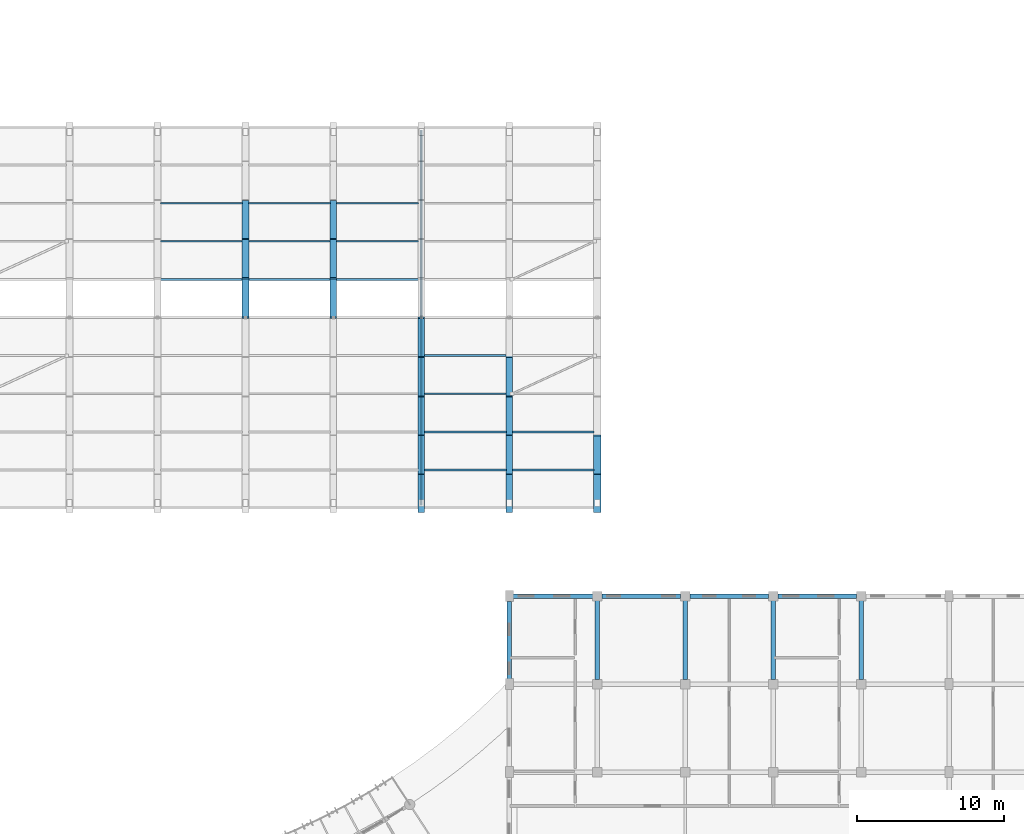
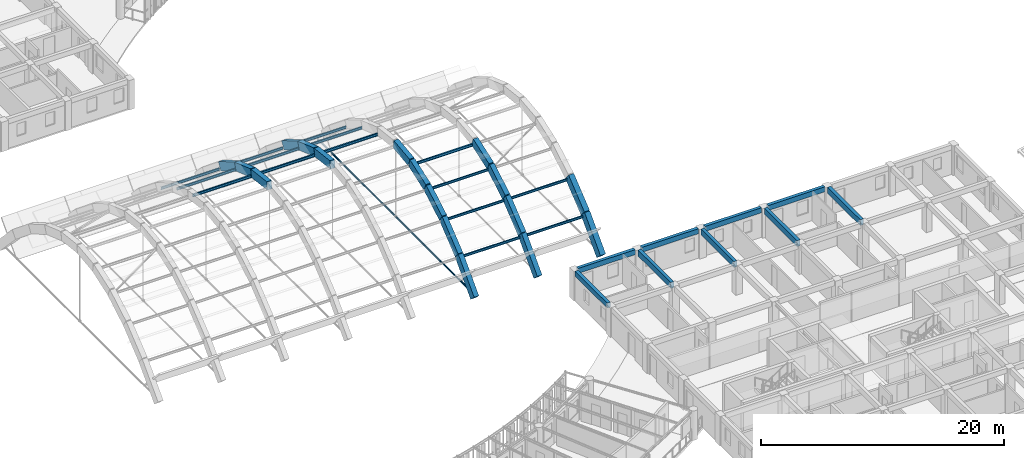
# One storey, part 31 of 123: 41 beams, 1 member.
"""IFC4 building model written with IfcOpenShell, lengths in metres."""

from ifc_helpers import new_model, si_unit, direction, frame, origin, origin_2d, place, context, subcontext, project, spatial, rectangle, hollow_circle, i_section, extrude, material, material_profile, profile_set, type_object, element, save


model = new_model("IFC4")

# Units and contexts
model_context = context("Model", 3, precision=1e-05, world=origin(), true_north=direction((0.0, 1.0)))
body_context = subcontext(model_context, "Body", "Model", "MODEL_VIEW")
ifc_project = project(units=[si_unit("LENGTHUNIT", "METRE"), si_unit("AREAUNIT", "SQUARE_METRE"), si_unit("VOLUMEUNIT", "CUBIC_METRE"), si_unit("PLANEANGLEUNIT", "RADIAN"), si_unit("MASSUNIT", "GRAM", prefix="KILO"), si_unit("POWERUNIT", "WATT"), si_unit("THERMODYNAMICTEMPERATUREUNIT", "KELVIN")], contexts=[model_context])

# Site, building, storey
site_placement = place(None, origin())
site = spatial("IfcSite", under=ifc_project, at=site_placement, CompositionType="ELEMENT")
building_placement = place(site_placement, origin())
building = spatial("IfcBuilding", under=site, at=building_placement, Name="Ruvembo Vaulted Housing Court", CompositionType="ELEMENT")
storey_placement = place(building_placement, frame((0.0, 0.0, 7.699951171875)))
storey = spatial("IfcBuildingStorey", under=building, at=storey_placement, Name="L02", CompositionType="ELEMENT", Elevation=7.699951171875)

# Beams
ifc_material_1 = material(Name="Concrete C35/45", Category="concrete")
ifc_material_profile_1 = material_profile(ifc_material_1, rectangle(XDim=0.449951171875, YDim=0.800048828125, at=origin_2d()), Name="RC 450x800")
ifc_profile_set_1 = profile_set([ifc_material_profile_1], Name="Concrete C35/45")
beam_type_1 = type_object("IfcBeamType", Name="AR-RC-450x800", PredefinedType="BEAM", material=ifc_profile_set_1)
beam_1_placement = place(storey_placement, frame((84.0, 55.0, 6.10009765625), z_axis=(0.0, 0.993236276414, -0.116110719637), x_axis=(-1.0, 0.0, 0.0)))
element("IfcBeam", 1, at=beam_1_placement, inside=storey, type_object=beam_type_1, Name="Community Hall Parabolic Arch Rib AR-04 Seg 6", PredefinedType="BEAM", context=body_context, shape_type="SweptSolid", body=[
    extrude(rectangle(XDim=0.449951171875, YDim=0.800048828125, at=origin_2d()), origin(), (0.0, 0.0, 1.0), 2.617919921875),
])
beam_2_placement = place(storey_placement, frame((84.0, 57.60009765625, 5.796142578125), z_axis=(0.0, 0.943613580104, -0.331048956265), x_axis=(-1.0, 0.0, 0.0)))
element("IfcBeam", 2, at=beam_2_placement, inside=storey, type_object=beam_type_1, Name="Community Hall Parabolic Arch Rib AR-04 Seg 7", PredefinedType="BEAM", context=body_context, shape_type="SweptSolid", body=[
    extrude(rectangle(XDim=0.449951171875, YDim=0.800048828125, at=origin_2d()), origin(), (0.0, 0.0, 1.0), 2.755126953125),
])
beam_3_placement = place(storey_placement, frame((84.0, 60.199951171875, 4.884033203125), z_axis=(0.0, 0.863302227703, -0.504687292928), x_axis=(-1.0, 0.0, 0.0)))
element("IfcBeam", 3, at=beam_3_placement, inside=storey, type_object=beam_type_1, Name="Community Hall Parabolic Arch Rib AR-04 Seg 8", PredefinedType="BEAM", context=body_context, shape_type="SweptSolid", body=[
    extrude(rectangle(XDim=0.449951171875, YDim=0.800048828125, at=origin_2d()), origin(), (0.0, 0.0, 1.0), 3.01171875),
])
beam_4_placement = place(storey_placement, frame((90.0, 55.0, 6.10009765625), z_axis=(0.0, 0.993236276414, -0.116110719637), x_axis=(-1.0, 0.0, 0.0)))
element("IfcBeam", 4, at=beam_4_placement, inside=storey, type_object=beam_type_1, Name="Community Hall Parabolic Arch Rib AR-05 Seg 6", PredefinedType="BEAM", context=body_context, shape_type="SweptSolid", body=[
    extrude(rectangle(XDim=0.449951171875, YDim=0.800048828125, at=origin_2d()), origin(), (0.0, 0.0, 1.0), 2.617919921875),
])
beam_5_placement = place(storey_placement, frame((90.0, 57.60009765625, 5.796142578125), z_axis=(0.0, 0.943613580104, -0.331048956265), x_axis=(-1.0, 0.0, 0.0)))
element("IfcBeam", 5, at=beam_5_placement, inside=storey, type_object=beam_type_1, Name="Community Hall Parabolic Arch Rib AR-05 Seg 7", PredefinedType="BEAM", context=body_context, shape_type="SweptSolid", body=[
    extrude(rectangle(XDim=0.449951171875, YDim=0.800048828125, at=origin_2d()), origin(), (0.0, 0.0, 1.0), 2.755126953125),
])
beam_6_placement = place(storey_placement, frame((90.0, 60.199951171875, 4.884033203125), z_axis=(0.0, 0.863302227703, -0.504687292928), x_axis=(-1.0, 0.0, 0.0)))
element("IfcBeam", 6, at=beam_6_placement, inside=storey, type_object=beam_type_1, Name="Community Hall Parabolic Arch Rib AR-05 Seg 8", PredefinedType="BEAM", context=body_context, shape_type="SweptSolid", body=[
    extrude(rectangle(XDim=0.449951171875, YDim=0.800048828125, at=origin_2d()), origin(), (0.0, 0.0, 1.0), 3.01171875),
])
beam_7_placement = place(storey_placement, frame((96.0, 42.0, -1.5), z_axis=(0.0, 0.688863348141, 0.724891224659), x_axis=(-1.0, 0.0, 0.0)))
element("IfcBeam", 7, at=beam_7_placement, inside=storey, type_object=beam_type_1, Name="Community Hall Parabolic Arch Rib AR-06 Seg 1", PredefinedType="BEAM", context=body_context, shape_type="SweptSolid", body=[
    extrude(rectangle(XDim=0.449951171875, YDim=0.800048828125, at=origin_2d()), origin(), (0.0, 0.0, 1.0), 3.7744140625),
])
beam_8_placement = place(storey_placement, frame((96.0, 44.60009765625, 1.236083984375), z_axis=(0.0, 0.773843967543, 0.633376281445), x_axis=(-1.0, 0.0, 0.0)))
element("IfcBeam", 8, at=beam_8_placement, inside=storey, type_object=beam_type_1, Name="Community Hall Parabolic Arch Rib AR-06 Seg 2", PredefinedType="BEAM", context=body_context, shape_type="SweptSolid", body=[
    extrude(rectangle(XDim=0.449951171875, YDim=0.800048828125, at=origin_2d()), origin(), (0.0, 0.0, 1.0), 3.359619140625),
])
beam_9_placement = place(storey_placement, frame((96.0, 47.199951171875, 3.364013671875), z_axis=(0.0, 0.863302227703, 0.504687292928), x_axis=(-1.0, 0.0, 0.0)))
element("IfcBeam", 9, at=beam_9_placement, inside=storey, type_object=beam_type_1, Name="Community Hall Parabolic Arch Rib AR-06 Seg 3", PredefinedType="BEAM", context=body_context, shape_type="SweptSolid", body=[
    extrude(rectangle(XDim=0.449951171875, YDim=0.800048828125, at=origin_2d()), origin(), (0.0, 0.0, 1.0), 3.01171875),
])
beam_10_placement = place(storey_placement, frame((96.0, 49.800048828125, 4.884033203125), z_axis=(0.0, 0.943613580104, 0.331048956265), x_axis=(-1.0, 0.0, 0.0)))
element("IfcBeam", 10, at=beam_10_placement, inside=storey, type_object=beam_type_1, Name="Community Hall Parabolic Arch Rib AR-06 Seg 4", PredefinedType="BEAM", context=body_context, shape_type="SweptSolid", body=[
    extrude(rectangle(XDim=0.449951171875, YDim=0.800048828125, at=origin_2d()), origin(), (0.0, 0.0, 1.0), 2.755126953125),
])
beam_11_placement = place(storey_placement, frame((96.0, 52.39990234375, 5.796142578125), z_axis=(0.0, 0.993236276414, 0.116110719637), x_axis=(-1.0, 0.0, 0.0)))
element("IfcBeam", 11, at=beam_11_placement, inside=storey, type_object=beam_type_1, Name="Community Hall Parabolic Arch Rib AR-06 Seg 5", PredefinedType="BEAM", context=body_context, shape_type="SweptSolid", body=[
    extrude(rectangle(XDim=0.449951171875, YDim=0.800048828125, at=origin_2d()), origin(), (0.0, 0.0, 1.0), 2.617919921875),
])
beam_12_placement = place(storey_placement, frame((102.0, 42.0, -1.5), z_axis=(0.0, 0.688863348141, 0.724891224659), x_axis=(-1.0, 0.0, 0.0)))
element("IfcBeam", 12, at=beam_12_placement, inside=storey, type_object=beam_type_1, Name="Community Hall Parabolic Arch Rib AR-07 Seg 1", PredefinedType="BEAM", context=body_context, shape_type="SweptSolid", body=[
    extrude(rectangle(XDim=0.449951171875, YDim=0.800048828125, at=origin_2d()), origin(), (0.0, 0.0, 1.0), 3.7744140625),
])
beam_13_placement = place(storey_placement, frame((102.0, 44.60009765625, 1.236083984375), z_axis=(0.0, 0.773843967543, 0.633376281445), x_axis=(-1.0, 0.0, 0.0)))
element("IfcBeam", 13, at=beam_13_placement, inside=storey, type_object=beam_type_1, Name="Community Hall Parabolic Arch Rib AR-07 Seg 2", PredefinedType="BEAM", context=body_context, shape_type="SweptSolid", body=[
    extrude(rectangle(XDim=0.449951171875, YDim=0.800048828125, at=origin_2d()), origin(), (0.0, 0.0, 1.0), 3.359619140625),
])
beam_14_placement = place(storey_placement, frame((102.0, 47.199951171875, 3.364013671875), z_axis=(0.0, 0.863302227703, 0.504687292928), x_axis=(-1.0, 0.0, 0.0)))
element("IfcBeam", 14, at=beam_14_placement, inside=storey, type_object=beam_type_1, Name="Community Hall Parabolic Arch Rib AR-07 Seg 3", PredefinedType="BEAM", context=body_context, shape_type="SweptSolid", body=[
    extrude(rectangle(XDim=0.449951171875, YDim=0.800048828125, at=origin_2d()), origin(), (0.0, 0.0, 1.0), 3.01171875),
])
beam_15_placement = place(storey_placement, frame((102.0, 49.800048828125, 4.884033203125), z_axis=(0.0, 0.943613580104, 0.331048956265), x_axis=(-1.0, 0.0, 0.0)))
element("IfcBeam", 15, at=beam_15_placement, inside=storey, type_object=beam_type_1, Name="Community Hall Parabolic Arch Rib AR-07 Seg 4", PredefinedType="BEAM", context=body_context, shape_type="SweptSolid", body=[
    extrude(rectangle(XDim=0.449951171875, YDim=0.800048828125, at=origin_2d()), origin(), (0.0, 0.0, 1.0), 2.755126953125),
])
ifc_material_profile_2 = material_profile(ifc_material_1, rectangle(XDim=0.5, YDim=0.85009765625, at=origin_2d()), Name="RC 500x850")
ifc_profile_set_2 = profile_set([ifc_material_profile_2], Name="Concrete C35/45")
beam_type_2 = type_object("IfcBeamType", Name="AR-RC-500x850", PredefinedType="BEAM", material=ifc_profile_set_2)
beam_16_placement = place(storey_placement, frame((108.0, 42.0, -1.5), z_axis=(0.0, 0.688863348141, 0.724891224659), x_axis=(-1.0, 0.0, 0.0)))
element("IfcBeam", 16, at=beam_16_placement, inside=storey, type_object=beam_type_2, Name="Community Hall Parabolic Arch Rib AR-08 Seg 1", PredefinedType="BEAM", context=body_context, shape_type="SweptSolid", body=[
    extrude(rectangle(XDim=0.5, YDim=0.85009765625, at=origin_2d()), origin(), (0.0, 0.0, 1.0), 3.7744140625),
])
beam_17_placement = place(storey_placement, frame((108.0, 44.60009765625, 1.236083984375), z_axis=(0.0, 0.773843967543, 0.633376281445), x_axis=(-1.0, 0.0, 0.0)))
element("IfcBeam", 17, at=beam_17_placement, inside=storey, type_object=beam_type_2, Name="Community Hall Parabolic Arch Rib AR-08 Seg 2", PredefinedType="BEAM", context=body_context, shape_type="SweptSolid", body=[
    extrude(rectangle(XDim=0.5, YDim=0.85009765625, at=origin_2d()), origin(), (0.0, 0.0, 1.0), 3.359619140625),
])
ifc_material_profile_3 = material_profile(ifc_material_1, rectangle(XDim=0.300048828125, YDim=0.60009765625, at=origin_2d()), Name="RC 300x600")
ifc_profile_set_3 = profile_set([ifc_material_profile_3], Name="Concrete C35/45")
beam_type_3 = type_object("IfcBeamType", Name="BM-RC-300x600", PredefinedType="BEAM", material=ifc_profile_set_3)
for number, where, z_axis, x_axis, name in (
    (18, (108.0, 30.31005859375, 2.655029296875), (0.0, 1.0, 0.0), (-1.0, 0.0, 0.0), "L02 Grid Beam Y #1648"),
    (19, (114.0, 30.31005859375, 2.655029296875), (0.0, 1.0, 0.0), (-1.0, 0.0, 0.0), "L02 Grid Beam Y #1653"),
    (20, (120.0, 30.31005859375, 2.655029296875), (0.0, 1.0, 0.0), (-1.0, 0.0, 0.0), "L02 Grid Beam Y #1657"),
    (21, (126.0, 30.31005859375, 2.655029296875), (0.0, 1.0, 0.0), (-1.0, 0.0, 0.0), "L02 Grid Beam Y #1661"),
):
    element("IfcBeam", number, at=place(storey_placement, frame(where, z_axis=z_axis, x_axis=x_axis)), inside=storey, type_object=beam_type_3, Name=name, PredefinedType="BEAM", context=body_context, shape_type="SweptSolid", body=[
        extrude(rectangle(XDim=0.300048828125, YDim=0.60009765625, at=origin_2d()), origin(), (0.0, 0.0, 1.0), 5.3798828125),
    ])
ifc_material_2 = material(Name="Steel S355J2", Category="steel")
ifc_material_profile_4 = material_profile(ifc_material_2, i_section(OverallWidth=0.1201171875, OverallDepth=0.239990234375, WebThickness=0.006103515625, FlangeThickness=0.009765625, FilletRadius=0.014892578125, at=origin_2d()), Name="IPE 240")
ifc_profile_set_4 = profile_set([ifc_material_profile_4], Name="Steel S355J2")
beam_type_4 = type_object("IfcBeamType", Name="BM-ST-IPE240", PredefinedType="BEAM", material=ifc_profile_set_4)
for number, where, z_axis, x_axis, name in (
    (22, (78.2099609375, 60.199951171875, 4.60400390625), (1.0, 0.0, 0.0), (0.0, 1.0, 0.0), "Vault Bay 3 Steel Purlin K7"),
    (23, (78.2099609375, 62.800048828125, 3.083984375), (1.0, 0.0, 0.0), (0.0, 1.0, 0.0), "Vault Bay 3 Steel Purlin K8"),
    (24, (84.2099609375, 60.199951171875, 4.60400390625), (1.0, 0.0, 0.0), (0.0, 1.0, 0.0), "Vault Bay 4 Steel Purlin K7"),
    (25, (84.2099609375, 62.800048828125, 3.083984375), (1.0, 0.0, 0.0), (0.0, 1.0, 0.0), "Vault Bay 4 Steel Purlin K8"),
    (26, (90.2099609375, 60.199951171875, 4.60400390625), (1.0, 0.0, 0.0), (0.0, 1.0, 0.0), "Vault Bay 5 Steel Purlin K7"),
    (27, (90.2099609375, 62.800048828125, 3.083984375), (1.0, 0.0, 0.0), (0.0, 1.0, 0.0), "Vault Bay 5 Steel Purlin K8"),
    (28, (96.2099609375, 44.60009765625, 0.9560546875), (1.0, 0.0, 0.0), (0.0, 1.0, 0.0), "Vault Bay 6 Steel Purlin K1"),
    (29, (96.2099609375, 47.199951171875, 3.083984375), (1.0, 0.0, 0.0), (0.0, 1.0, 0.0), "Vault Bay 6 Steel Purlin K2"),
    (30, (96.2099609375, 49.800048828125, 4.60400390625), (1.0, 0.0, 0.0), (0.0, 1.0, 0.0), "Vault Bay 6 Steel Purlin K3"),
    (31, (102.2099609375, 44.60009765625, 0.9560546875), (1.0, 0.0, 0.0), (0.0, 1.0, 0.0), "Vault Bay 7 Steel Purlin K1"),
    (32, (102.2099609375, 47.199951171875, 3.083984375), (1.0, 0.0, 0.0), (0.0, 1.0, 0.0), "Vault Bay 7 Steel Purlin K2"),
):
    element("IfcBeam", number, at=place(storey_placement, frame(where, z_axis=z_axis, x_axis=x_axis)), inside=storey, type_object=beam_type_4, Name=name, PredefinedType="BEAM", context=body_context, shape_type="SweptSolid", body=[
        extrude(i_section(OverallWidth=0.1201171875, OverallDepth=0.239990234375, WebThickness=0.006103515625, FlangeThickness=0.009765625, FilletRadius=0.014892578125, at=origin_2d()), origin(), (0.0, 0.0, 1.0), 5.580078125),
    ])
ifc_material_profile_5 = material_profile(ifc_material_2, i_section(OverallWidth=0.135009765625, OverallDepth=0.27001953125, WebThickness=0.006591796875, FlangeThickness=0.01025390625, FilletRadius=0.014892578125, at=origin_2d()), Name="IPE 270")
ifc_profile_set_5 = profile_set([ifc_material_profile_5], Name="Steel S355J2")
beam_type_5 = type_object("IfcBeamType", Name="BM-ST-IPE270", PredefinedType="BEAM", material=ifc_profile_set_5)
for number, where, z_axis, x_axis, name in (
    (33, (78.2099609375, 57.60009765625, 5.51611328125), (1.0, 0.0, 0.0), (0.0, 1.0, 0.0), "Vault Bay 3 Steel Purlin K6"),
    (34, (84.2099609375, 57.60009765625, 5.51611328125), (1.0, 0.0, 0.0), (0.0, 1.0, 0.0), "Vault Bay 4 Steel Purlin K6"),
    (35, (90.2099609375, 57.60009765625, 5.51611328125), (1.0, 0.0, 0.0), (0.0, 1.0, 0.0), "Vault Bay 5 Steel Purlin K6"),
    (36, (96.2099609375, 52.39990234375, 5.51611328125), (1.0, 0.0, 0.0), (0.0, 1.0, 0.0), "Vault Bay 6 Steel Purlin K4"),
):
    element("IfcBeam", number, at=place(storey_placement, frame(where, z_axis=z_axis, x_axis=x_axis)), inside=storey, type_object=beam_type_5, Name=name, PredefinedType="BEAM", context=body_context, shape_type="SweptSolid", body=[
        extrude(i_section(OverallWidth=0.135009765625, OverallDepth=0.27001953125, WebThickness=0.006591796875, FlangeThickness=0.01025390625, FilletRadius=0.014892578125, at=origin_2d()), origin(), (0.0, 0.0, 1.0), 5.580078125),
    ])

# Member
ifc_material_profile_6 = material_profile(ifc_material_2, hollow_circle(Radius=0.084228515625, WallThickness=0.010009765625, at=origin_2d()), Name="CHS 168.3x10")
ifc_profile_set_6 = profile_set([ifc_material_profile_6], Name="Steel S355J2")
member_type = type_object("IfcMemberType", Name="MEM-TIE-CHS168", PredefinedType="USERDEFINED", material=ifc_profile_set_6)
member_placement = place(storey_placement, frame((96.0, 42.199951171875, -1.25), z_axis=(0.0, 1.0, 0.0), x_axis=(-1.0, 0.0, 0.0)))
element("IfcMember", 37, at=member_placement, inside=storey, type_object=member_type, Name="Vault Springing Steel Tension Tie VT-06", ObjectType="TIE_ROD", PredefinedType="USERDEFINED", context=body_context, shape_type="SweptSolid", body=[
    extrude(hollow_circle(Radius=0.084228515625, WallThickness=0.010009765625, at=origin_2d()), origin(), (0.0, 0.0, 1.0), 25.60009765625),
])

# Beams
ifc_material_profile_7 = material_profile(ifc_material_1, rectangle(XDim=0.300048828125, YDim=0.5, at=origin_2d()), Name="RC 300x500")
ifc_profile_set_7 = profile_set([ifc_material_profile_7], Name="Concrete C35/45")
beam_type_6 = type_object("IfcBeamType", Name="SP-RC-300x500", PredefinedType="SPANDREL", material=ifc_profile_set_7)
beam_18_placement = place(storey_placement, frame((102.260009765625, 36.0, 2.705078125), z_axis=(1.0, 0.0, 0.0), x_axis=(0.0, 1.0, 0.0)))
element("IfcBeam", 38, at=beam_18_placement, inside=storey, type_object=beam_type_6, Name="L02 Grid Beam X #1483", PredefinedType="SPANDREL", context=body_context, shape_type="SweptSolid", body=[
    extrude(rectangle(XDim=0.300048828125, YDim=0.5, at=origin_2d()), origin(), (0.0, 0.0, 1.0), 5.429931640625),
])
for number, where, z_axis, x_axis, name in (
    (39, (108.31005859375, 36.0, 2.705078125), (1.0, 0.0, 0.0), (0.0, 1.0, 0.0), "L02 Grid Beam X #1484"),
    (40, (114.31005859375, 36.0, 2.705078125), (1.0, 0.0, 0.0), (0.0, 1.0, 0.0), "L02 Grid Beam X #1485"),
    (41, (120.31005859375, 36.0, 2.705078125), (1.0, 0.0, 0.0), (0.0, 1.0, 0.0), "L02 Grid Beam X #1486"),
):
    element("IfcBeam", number, at=place(storey_placement, frame(where, z_axis=z_axis, x_axis=x_axis)), inside=storey, type_object=beam_type_6, Name=name, PredefinedType="SPANDREL", context=body_context, shape_type="SweptSolid", body=[
        extrude(rectangle(XDim=0.300048828125, YDim=0.5, at=origin_2d()), origin(), (0.0, 0.0, 1.0), 5.3798828125),
    ])
beam_19_placement = place(storey_placement, frame((102.0, 30.360107421875, 2.705078125), z_axis=(0.0, 1.0, 0.0), x_axis=(-1.0, 0.0, 0.0)))
element("IfcBeam", 42, at=beam_19_placement, inside=storey, type_object=beam_type_6, Name="L02 Grid Beam Y #1644", PredefinedType="SPANDREL", context=body_context, shape_type="SweptSolid", body=[
    extrude(rectangle(XDim=0.300048828125, YDim=0.5, at=origin_2d()), origin(), (0.0, 0.0, 1.0), 5.27978515625),
])

save(model, "model.ifc")
